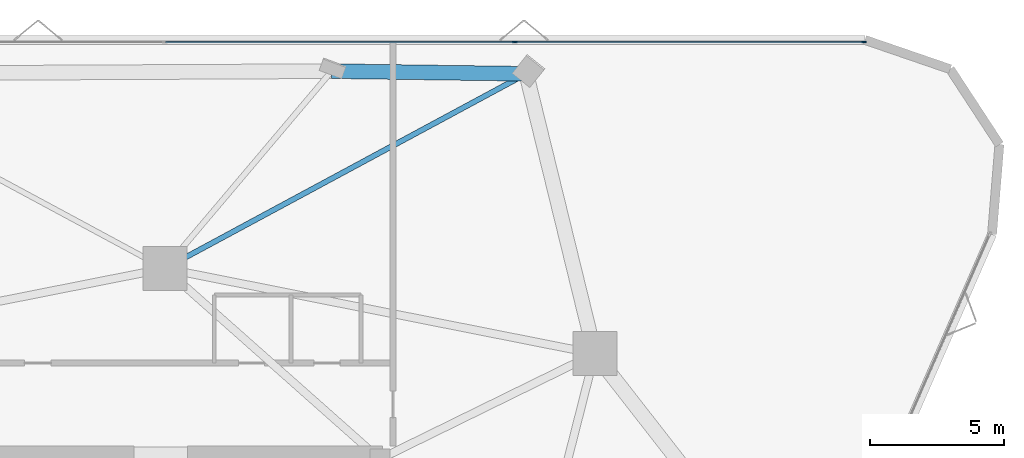
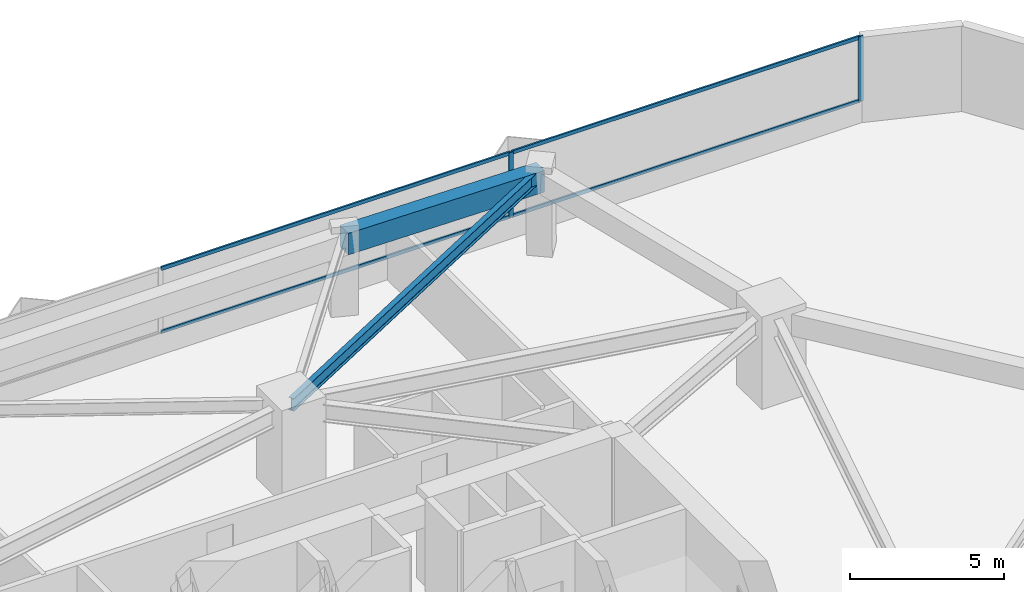
# One storey, part 11 of 17: 6 members, 2 beams, 1 element without a shape of its own.
"""IFC4 building model written with IfcOpenShell, lengths in metres."""

from ifc_helpers import new_model, si_unit, direction, frame, origin, origin_2d, place, context, subcontext, project, spatial, rectangle, i_section, extrude, material, layer, layer_set, material_profile, profile_set, type_object, element, aggregate, save


model = new_model("IFC4")

# Units and contexts
model_context = context("Model", 3, precision=1e-05, world=origin(), true_north=direction((0.0, 1.0)))
body_context = subcontext(model_context, "Body", "Model", "MODEL_VIEW")
ifc_project = project(units=[si_unit("LENGTHUNIT", "METRE"), si_unit("AREAUNIT", "SQUARE_METRE"), si_unit("VOLUMEUNIT", "CUBIC_METRE"), si_unit("PLANEANGLEUNIT", "RADIAN"), si_unit("MASSUNIT", "GRAM", prefix="KILO")], contexts=[model_context])

# Site, building, storey
site_placement = place(None, origin())
site = spatial("IfcSite", under=ifc_project, at=site_placement, CompositionType="ELEMENT")
building_placement = place(site_placement, origin())
building = spatial("IfcBuilding", under=site, at=building_placement, Name="Talyreon Biosciences Tower", CompositionType="ELEMENT")
storey_placement = place(building_placement, frame((0.0, 0.0, 93.25)))
storey = spatial("IfcBuildingStorey", under=building, at=storey_placement, Name="L24", CompositionType="ELEMENT", Elevation=93.25)

# Curtain wall, members
ifc_material_1 = material(Name="Thermally broken aluminium and low-E glazing", Category="aluminium")
ifc_layer = layer(ifc_material_1, 0.18994140625)
ifc_layer_set = layer_set([ifc_layer], Name="Thermally broken aluminium and low-E glazing")
curtain_wall_type = type_object("IfcCurtainWallType", Name="CurtainWall_Zone2Genomics", PredefinedType="NOTDEFINED", material=ifc_layer_set)
curtain_wall_placement = place(storey_placement, origin())
curtain_wall = element("IfcCurtainWall", 1, at=curtain_wall_placement, inside=storey, type_object=curtain_wall_type, Name="L24 Unitised Curtain Wall FCW-L24-04", PredefinedType="NOTDEFINED")
ifc_material_2 = material(Name="Anodised thermally broken aluminium", Category="aluminium")
ifc_material_profile_1 = material_profile(ifc_material_2, rectangle(XDim=0.06494140625, YDim=0.179931640625, at=origin_2d()), Name="ALUM MULLION 65x180")
ifc_profile_set_1 = profile_set([ifc_material_profile_1], Name="Anodised thermally broken aluminium")
member_type_1 = type_object("IfcMemberType", Name="CWMullion_65x180", PredefinedType="MULLION", material=ifc_profile_set_1)
member_1_placement = place(storey_placement, frame((79.109619140625, 90.2734375, 0.81005859375), z_axis=(0.0, 0.0, 1.0), x_axis=(0.0, 1.0, 0.0)))
member_1 = element("IfcMember", 2, at=member_1_placement, type_object=member_type_1, Name="CW3 mullion 4", PredefinedType="MULLION", context=body_context, shape_type="SweptSolid", body=[
    extrude(rectangle(XDim=0.06494140625, YDim=0.179931640625, at=origin_2d()), origin(), (0.0, 0.0, 1.0), 2.56494140625),
])
member_2_placement = place(storey_placement, frame((92.186767578125, 90.2734375, 0.81005859375), z_axis=(0.0, 0.0, 1.0), x_axis=(0.0, 1.0, 0.0)))
member_2 = element("IfcMember", 3, at=member_2_placement, type_object=member_type_1, Name="CW3 mullion 5", PredefinedType="MULLION", context=body_context, shape_type="SweptSolid", body=[
    extrude(rectangle(XDim=0.06494140625, YDim=0.179931640625, at=origin_2d()), origin(), (0.0, 0.0, 1.0), 2.56494140625),
])
ifc_material_profile_2 = material_profile(ifc_material_2, rectangle(XDim=0.06494140625, YDim=0.139892578125, at=origin_2d()), Name="ALUM TRANSOM 65x140")
ifc_profile_set_2 = profile_set([ifc_material_profile_2], Name="Anodised thermally broken aluminium")
member_type_2 = type_object("IfcMemberType", Name="CWTransom_65x140", PredefinedType="USERDEFINED", material=ifc_profile_set_2)
member_3_placement = place(storey_placement, frame((66.032470703125, 90.2734375, 0.842529296875), z_axis=(1.0, 0.0, 0.0), x_axis=(0.0, 1.0, 0.0)))
member_3 = element("IfcMember", 4, at=member_3_placement, type_object=member_type_2, Name="CW3 transom 3.1", ObjectType="TRANSOM", PredefinedType="USERDEFINED", context=body_context, shape_type="SweptSolid", body=[
    extrude(rectangle(XDim=0.06494140625, YDim=0.139892578125, at=origin_2d()), origin(), (0.0, 0.0, 1.0), 13.044677734375),
])
member_4_placement = place(storey_placement, frame((66.032470703125, 90.2734375, 3.342529296875), z_axis=(1.0, 0.0, 0.0), x_axis=(0.0, 1.0, 0.0)))
member_4 = element("IfcMember", 5, at=member_4_placement, type_object=member_type_2, Name="CW3 transom 3.2", ObjectType="TRANSOM", PredefinedType="USERDEFINED", context=body_context, shape_type="SweptSolid", body=[
    extrude(rectangle(XDim=0.06494140625, YDim=0.139892578125, at=origin_2d()), origin(), (0.0, 0.0, 1.0), 13.044677734375),
])
member_5_placement = place(storey_placement, frame((79.14208984375, 90.2734375, 0.842529296875), z_axis=(1.0, 0.0, 0.0), x_axis=(0.0, 1.0, 0.0)))
member_5 = element("IfcMember", 6, at=member_5_placement, type_object=member_type_2, Name="CW3 transom 4.1", ObjectType="TRANSOM", PredefinedType="USERDEFINED", context=body_context, shape_type="SweptSolid", body=[
    extrude(rectangle(XDim=0.06494140625, YDim=0.139892578125, at=origin_2d()), origin(), (0.0, 0.0, 1.0), 13.01220703125),
])
member_6_placement = place(storey_placement, frame((79.14208984375, 90.2734375, 3.342529296875), z_axis=(1.0, 0.0, 0.0), x_axis=(0.0, 1.0, 0.0)))
member_6 = element("IfcMember", 7, at=member_6_placement, type_object=member_type_2, Name="CW3 transom 4.2", ObjectType="TRANSOM", PredefinedType="USERDEFINED", context=body_context, shape_type="SweptSolid", body=[
    extrude(rectangle(XDim=0.06494140625, YDim=0.139892578125, at=origin_2d()), origin(), (0.0, 0.0, 1.0), 13.01220703125),
])
aggregate(curtain_wall, [member_1, member_2, member_3, member_4, member_5, member_6])

# Beams
ifc_material_3 = material(Name="Precast concrete C45/55", Category="concrete")
ifc_material_profile_3 = material_profile(ifc_material_3, rectangle(XDim=0.550048828125, YDim=0.85009765625, at=origin_2d()), Name="RCB 550x850")
ifc_profile_set_3 = profile_set([ifc_material_profile_3], Name="Precast concrete C45/55")
beam_type_1 = type_object("IfcBeamType", Name="ExpressedSpandrel_550x850", PredefinedType="SPANDREL", material=ifc_profile_set_3)
beam_1_placement = place(storey_placement, frame((79.535888671875, 89.081298828125, 2.949951171875), z_axis=(-0.999906168117, 0.013698721202, 0.0), x_axis=(-0.013698721202, -0.999906168117, 0.0)))
element("IfcBeam", 8, at=beam_1_placement, inside=storey, type_object=beam_type_1, Name="L24 Expressed Horizontal Concrete Spandrel 06", PredefinedType="SPANDREL", context=body_context, shape_type="SweptSolid", body=[
    extrude(rectangle(XDim=0.550048828125, YDim=0.85009765625, at=origin_2d()), origin(), (0.0, 0.0, 1.0), 7.289306640625),
])
ifc_material_4 = material(Name="Steel SM355", Category="steel")
ifc_material_profile_4 = material_profile(ifc_material_4, i_section(OverallWidth=0.199951171875, OverallDepth=0.5, WebThickness=0.01025390625, FlangeThickness=0.01611328125, FilletRadius=0.02099609375, at=origin_2d()), Name="IPE500")
ifc_profile_set_4 = profile_set([ifc_material_profile_4], Name="Steel SM355")
beam_type_2 = type_object("IfcBeamType", Name="SteelJoist_IPE500", PredefinedType="JOIST", material=ifc_profile_set_4)
beam_2_placement = place(storey_placement, frame((66.0, 81.788818359375, 3.125), z_axis=(0.880364515368, 0.474297712498, 0.0), x_axis=(-0.474297712498, 0.880364515368, 0.0)))
element("IfcBeam", 9, at=beam_2_placement, inside=storey, type_object=beam_type_2, Name="L24 Radial Composite Floor Joist PC-N1", PredefinedType="JOIST", context=body_context, shape_type="SweptSolid", body=[
    extrude(i_section(OverallWidth=0.199951171875, OverallDepth=0.5, WebThickness=0.01025390625, FlangeThickness=0.01611328125, FilletRadius=0.02099609375, at=origin_2d()), origin(), (0.0, 0.0, 1.0), 15.375244140625),
])

save(model, "model.ifc")
